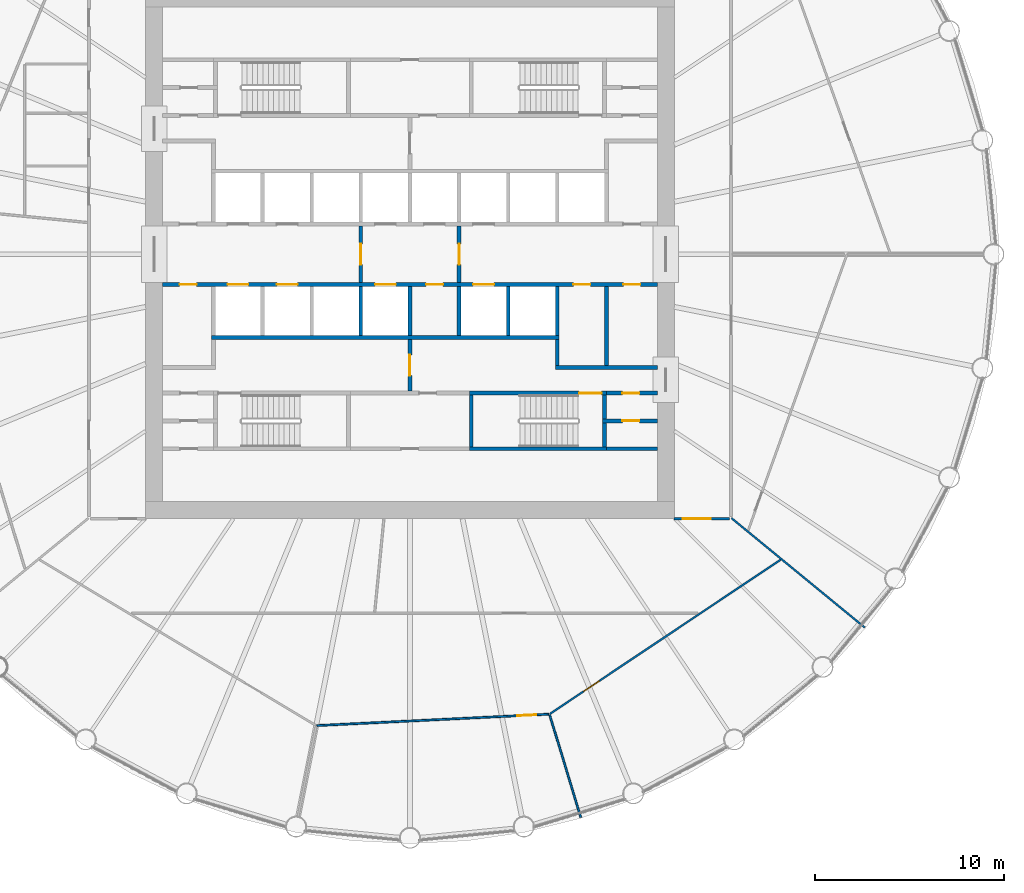
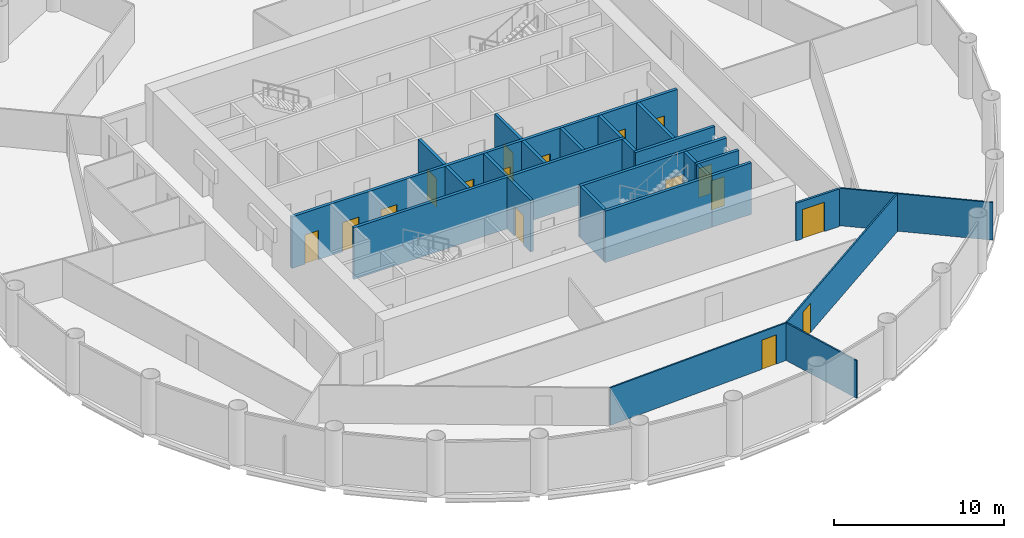
# One storey, part 5 of 9: 26 walls, 17 doors, 17 openings.
"""IFC4 building model written with IfcOpenShell, lengths in metres."""

from ifc_helpers import new_model, si_unit, direction, frame, frame_2d, origin, place, context, subcontext, project, spatial, polyline, rectangle, outline, extrude, material, layer, layer_set, type_object, element, fill, save


model = new_model("IFC4")

# Units and contexts
model_context = context("Model", 3, precision=1e-05, world=origin(), true_north=direction((0.0, 1.0)))
body_context = subcontext(model_context, "Body", "Model", "MODEL_VIEW")
ifc_project = project(units=[si_unit("LENGTHUNIT", "METRE"), si_unit("AREAUNIT", "SQUARE_METRE"), si_unit("VOLUMEUNIT", "CUBIC_METRE"), si_unit("PLANEANGLEUNIT", "RADIAN"), si_unit("MASSUNIT", "GRAM", prefix="KILO")], contexts=[model_context])

# Site, building, storey
site_placement = place(None, origin())
site = spatial("IfcSite", under=ifc_project, at=site_placement, CompositionType="ELEMENT")
building_placement = place(site_placement, origin())
building = spatial("IfcBuilding", under=site, at=building_placement, Name="Corvane Civic Tower", CompositionType="ELEMENT")
storey_placement = place(building_placement, frame((0.0, 0.0, 168.0)))
storey = spatial("IfcBuildingStorey", under=building, at=storey_placement, Name="L39", CompositionType="ELEMENT", Elevation=168.0)

# Wall, opening, door
ifc_material_1 = material(Name="Concrete C30/37", Category="concrete")
ifc_layer_1 = layer(ifc_material_1, 0.199951171875)
ifc_layer_set_1 = layer_set([ifc_layer_1], Name="Concrete C30/37")
wall_type_1 = type_object("IfcWallType", Name="CR-WALL-200", PredefinedType="PARTITIONING", material=ifc_layer_set_1)
wall_1_placement = place(storey_placement, frame((10.199951171875, -8.824951171875, 0.0), z_axis=(0.0, 0.0, 1.0), x_axis=(1.0, 0.0, 0.0)))
wall_1 = element("IfcWall", 1, at=wall_1_placement, inside=storey, type_object=wall_type_1, Name="L39 partition wall", PredefinedType="PARTITIONING", context=body_context, shape_type="SweptSolid", body=[
    extrude(rectangle(XDim=2.900146484375, YDim=0.199951171875, at=frame_2d((1.4501953125, 0.0))), origin(), (0.0, 0.0, 1.0), 3.699951171875),
])
opening_1_placement = place(wall_1_placement, frame((1.050048828125, 0.0, 0.0)))
opening_1 = element("IfcOpeningElement", 2, at=opening_1_placement, cuts=wall_1, Name="Opening L39.C19", PredefinedType="OPENING", context=body_context, shape_type="SweptSolid", body=[
    extrude(rectangle(XDim=0.89990234375, YDim=2.10009765625, at=frame_2d((0.449951171875, 1.050048828125))), frame((0.0, 0.10986328125, 0.0), z_axis=(0.0, -1.0, 0.0), x_axis=(1.0, 0.0, 0.0)), (0.0, 0.0, 1.0), 0.219970703125),
])
ifc_material_2 = material(Name="Steel fire door leaf", Category="steel")
door_type_1 = type_object("IfcDoorType", Name="CR-DOOR-900", OperationType="SINGLE_SWING_LEFT", PredefinedType="DOOR", material=ifc_material_2)
door_1_placement = place(opening_1_placement, origin())
door_1 = element("IfcDoor", 3, at=door_1_placement, inside=storey, type_object=door_type_1, Name="L39 door", OperationType="SINGLE_SWING_LEFT", OverallHeight=2.10009765625, OverallWidth=0.89990234375, PredefinedType="DOOR", context=body_context, shape_type="SweptSolid", body=[
    extrude(rectangle(XDim=0.89990234375, YDim=2.10009765625, at=frame_2d((0.449951171875, 1.050048828125))), frame((0.0, 0.02490234375, 0.0), z_axis=(0.0, -1.0, 0.0), x_axis=(1.0, 0.0, 0.0)), (0.0, 0.0, 1.0), 0.050048828125),
])
fill(opening_1, door_1)

wall_2_placement = place(storey_placement, frame((10.39990234375, -7.35009765625, 0.0), z_axis=(0.0, 0.0, 1.0), x_axis=(1.0, 0.0, 0.0)))
wall_2 = element("IfcWall", 4, at=wall_2_placement, inside=storey, type_object=wall_type_1, Name="L39 core partition wall", PredefinedType="PARTITIONING", context=body_context, shape_type="SweptSolid", body=[
    extrude(rectangle(XDim=2.7001953125, YDim=0.199951171875, at=frame_2d((1.35009765625, 0.0))), origin(), (0.0, 0.0, 1.0), 3.699951171875),
])
opening_2_placement = place(wall_2_placement, frame((0.85009765625, 0.0, 0.0)))
opening_2 = element("IfcOpeningElement", 5, at=opening_2_placement, cuts=wall_2, Name="Opening L39.C18", PredefinedType="OPENING", context=body_context, shape_type="SweptSolid", body=[
    extrude(rectangle(XDim=0.89990234375, YDim=2.10009765625, at=frame_2d((0.449951171875, 1.050048828125))), frame((0.0, 0.10986328125, 0.0), z_axis=(0.0, -1.0, 0.0), x_axis=(1.0, 0.0, 0.0)), (0.0, 0.0, 1.0), 0.219970703125),
])
door_2_placement = place(opening_2_placement, origin())
door_2 = element("IfcDoor", 6, at=door_2_placement, inside=storey, type_object=door_type_1, Name="L39 door", OperationType="SINGLE_SWING_LEFT", OverallHeight=2.10009765625, OverallWidth=0.89990234375, PredefinedType="DOOR", context=body_context, shape_type="SweptSolid", body=[
    extrude(rectangle(XDim=0.89990234375, YDim=2.10009765625, at=frame_2d((0.449951171875, 1.050048828125))), frame((0.0, 0.02490234375, 0.0), z_axis=(0.0, -1.0, 0.0), x_axis=(1.0, 0.0, 0.0)), (0.0, 0.0, 1.0), 0.050048828125),
])
fill(opening_2, door_2)

# Wall, openings, doors
wall_3_placement = place(storey_placement, frame((-13.10009765625, -1.60009765625, 0.0), z_axis=(0.0, 0.0, 1.0), x_axis=(1.0, 0.0, 0.0)))
wall_3 = element("IfcWall", 7, at=wall_3_placement, inside=storey, type_object=wall_type_1, Name="L39 lift shaft wall", PredefinedType="PARTITIONING", context=body_context, shape_type="SweptSolid", body=[
    extrude(rectangle(XDim=26.2001953125, YDim=0.199951171875, at=frame_2d((13.10009765625, 0.0))), origin(), (0.0, 0.0, 1.0), 3.699951171875),
])
opening_3_placement = place(wall_3_placement, frame((3.449951171875, 0.0, 0.0)))
opening_3 = element("IfcOpeningElement", 8, at=opening_3_placement, cuts=wall_3, Name="Opening LD", PredefinedType="OPENING", context=body_context, shape_type="SweptSolid", body=[
    extrude(rectangle(XDim=1.10009765625, YDim=2.10009765625, at=frame_2d((0.550048828125, 1.050048828125))), frame((0.0, 0.10986328125, 0.0), z_axis=(0.0, -1.0, 0.0), x_axis=(1.0, 0.0, 0.0)), (0.0, 0.0, 1.0), 0.219970703125),
])
opening_4_placement = place(wall_3_placement, frame((6.050048828125, 0.0, 0.0)))
opening_4 = element("IfcOpeningElement", 9, at=opening_4_placement, cuts=wall_3, Name="Opening LD", PredefinedType="OPENING", context=body_context, shape_type="SweptSolid", body=[
    extrude(rectangle(XDim=1.10009765625, YDim=2.10009765625, at=frame_2d((0.550048828125, 1.050048828125))), frame((0.0, 0.10986328125, 0.0), z_axis=(0.0, -1.0, 0.0), x_axis=(1.0, 0.0, 0.0)), (0.0, 0.0, 1.0), 0.219970703125),
])
opening_5_placement = place(wall_3_placement, frame((11.25, 0.0, 0.0)))
opening_5 = element("IfcOpeningElement", 10, at=opening_5_placement, cuts=wall_3, Name="Opening LD", PredefinedType="OPENING", context=body_context, shape_type="SweptSolid", body=[
    extrude(rectangle(XDim=1.10009765625, YDim=2.10009765625, at=frame_2d((0.550048828125, 1.050048828125))), frame((0.0, 0.10986328125, 0.0), z_axis=(0.0, -1.0, 0.0), x_axis=(1.0, 0.0, 0.0)), (0.0, 0.0, 1.0), 0.219970703125),
])
opening_6_placement = place(wall_3_placement, frame((13.949951171875, 0.0, 0.0)))
opening_6 = element("IfcOpeningElement", 11, at=opening_6_placement, cuts=wall_3, Name="Opening L39.C03", PredefinedType="OPENING", context=body_context, shape_type="SweptSolid", body=[
    extrude(rectangle(XDim=0.89990234375, YDim=2.10009765625, at=frame_2d((0.449951171875, 1.050048828125))), frame((0.0, 0.10986328125, 0.0), z_axis=(0.0, -1.0, 0.0), x_axis=(1.0, 0.0, 0.0)), (0.0, 0.0, 1.0), 0.219970703125),
])
opening_7_placement = place(wall_3_placement, frame((16.449951171875, 0.0, 0.0)))
opening_7 = element("IfcOpeningElement", 12, at=opening_7_placement, cuts=wall_3, Name="Opening LD", PredefinedType="OPENING", context=body_context, shape_type="SweptSolid", body=[
    extrude(rectangle(XDim=1.10009765625, YDim=2.10009765625, at=frame_2d((0.550048828125, 1.050048828125))), frame((0.0, 0.10986328125, 0.0), z_axis=(0.0, -1.0, 0.0), x_axis=(1.0, 0.0, 0.0)), (0.0, 0.0, 1.0), 0.219970703125),
])
opening_8_placement = place(wall_3_placement, frame((0.89990234375, 0.0, 0.0)))
opening_8 = element("IfcOpeningElement", 13, at=opening_8_placement, cuts=wall_3, Name="Opening L39.C04", PredefinedType="OPENING", context=body_context, shape_type="SweptSolid", body=[
    extrude(rectangle(XDim=0.89990234375, YDim=2.10009765625, at=frame_2d((0.449951171875, 1.050048828125))), frame((0.0, 0.10986328125, 0.0), z_axis=(0.0, -1.0, 0.0), x_axis=(1.0, 0.0, 0.0)), (0.0, 0.0, 1.0), 0.219970703125),
])
opening_9_placement = place(wall_3_placement, frame((21.75, 0.0, 0.0)))
opening_9 = element("IfcOpeningElement", 14, at=opening_9_placement, cuts=wall_3, Name="Opening L39.C05", PredefinedType="OPENING", context=body_context, shape_type="SweptSolid", body=[
    extrude(rectangle(XDim=0.89990234375, YDim=2.10009765625, at=frame_2d((0.449951171875, 1.050048828125))), frame((0.0, 0.10986328125, 0.0), z_axis=(0.0, -1.0, 0.0), x_axis=(1.0, 0.0, 0.0)), (0.0, 0.0, 1.0), 0.219970703125),
])
opening_10_placement = place(wall_3_placement, frame((24.39990234375, 0.0, 0.0)))
opening_10 = element("IfcOpeningElement", 15, at=opening_10_placement, cuts=wall_3, Name="Opening L39.C06", PredefinedType="OPENING", context=body_context, shape_type="SweptSolid", body=[
    extrude(rectangle(XDim=0.89990234375, YDim=2.10009765625, at=frame_2d((0.449951171875, 1.050048828125))), frame((0.0, 0.10986328125, 0.0), z_axis=(0.0, -1.0, 0.0), x_axis=(1.0, 0.0, 0.0)), (0.0, 0.0, 1.0), 0.219970703125),
])
door_3_placement = place(opening_6_placement, origin())
door_3 = element("IfcDoor", 16, at=door_3_placement, inside=storey, type_object=door_type_1, Name="L39 door", OperationType="SINGLE_SWING_LEFT", OverallHeight=2.10009765625, OverallWidth=0.89990234375, PredefinedType="DOOR", context=body_context, shape_type="SweptSolid", body=[
    extrude(rectangle(XDim=0.89990234375, YDim=2.10009765625, at=frame_2d((0.449951171875, 1.050048828125))), frame((0.0, 0.02490234375, 0.0), z_axis=(0.0, -1.0, 0.0), x_axis=(1.0, 0.0, 0.0)), (0.0, 0.0, 1.0), 0.050048828125),
])
fill(opening_6, door_3)
door_4_placement = place(opening_8_placement, origin())
door_4 = element("IfcDoor", 17, at=door_4_placement, inside=storey, type_object=door_type_1, Name="L39 door", OperationType="SINGLE_SWING_LEFT", OverallHeight=2.10009765625, OverallWidth=0.89990234375, PredefinedType="DOOR", context=body_context, shape_type="SweptSolid", body=[
    extrude(rectangle(XDim=0.89990234375, YDim=2.10009765625, at=frame_2d((0.449951171875, 1.050048828125))), frame((0.0, 0.02490234375, 0.0), z_axis=(0.0, -1.0, 0.0), x_axis=(1.0, 0.0, 0.0)), (0.0, 0.0, 1.0), 0.050048828125),
])
fill(opening_8, door_4)
door_5_placement = place(opening_9_placement, origin())
door_5 = element("IfcDoor", 18, at=door_5_placement, inside=storey, type_object=door_type_1, Name="L39 door", OperationType="SINGLE_SWING_LEFT", OverallHeight=2.10009765625, OverallWidth=0.89990234375, PredefinedType="DOOR", context=body_context, shape_type="SweptSolid", body=[
    extrude(rectangle(XDim=0.89990234375, YDim=2.10009765625, at=frame_2d((0.449951171875, 1.050048828125))), frame((0.0, 0.02490234375, 0.0), z_axis=(0.0, -1.0, 0.0), x_axis=(1.0, 0.0, 0.0)), (0.0, 0.0, 1.0), 0.050048828125),
])
fill(opening_9, door_5)
door_6_placement = place(opening_10_placement, origin())
door_6 = element("IfcDoor", 19, at=door_6_placement, inside=storey, type_object=door_type_1, Name="L39 door", OperationType="SINGLE_SWING_LEFT", OverallHeight=2.10009765625, OverallWidth=0.89990234375, PredefinedType="DOOR", context=body_context, shape_type="SweptSolid", body=[
    extrude(rectangle(XDim=0.89990234375, YDim=2.10009765625, at=frame_2d((0.449951171875, 1.050048828125))), frame((0.0, 0.02490234375, 0.0), z_axis=(0.0, -1.0, 0.0), x_axis=(1.0, 0.0, 0.0)), (0.0, 0.0, 1.0), 0.050048828125),
])
fill(opening_10, door_6)
ifc_material_3 = material(Name="Stainless steel 316 door leaves", Category="steel")
door_type_2 = type_object("IfcDoorType", Name="LD", OperationType="DOUBLE_DOOR_SLIDING", PredefinedType="DOOR", material=ifc_material_3)
door_7_placement = place(opening_3_placement, origin())
door_7 = element("IfcDoor", 20, at=door_7_placement, inside=storey, type_object=door_type_2, Name="L39 landing door", OperationType="DOUBLE_DOOR_SLIDING", OverallHeight=2.10009765625, OverallWidth=1.10009765625, PredefinedType="DOOR", context=body_context, shape_type="SweptSolid", body=[
    extrude(rectangle(XDim=1.10009765625, YDim=2.10009765625, at=frame_2d((0.550048828125, 1.050048828125))), frame((0.0, 0.02490234375, 0.0), z_axis=(0.0, -1.0, 0.0), x_axis=(1.0, 0.0, 0.0)), (0.0, 0.0, 1.0), 0.050048828125),
])
fill(opening_3, door_7)
door_8_placement = place(opening_4_placement, origin())
door_8 = element("IfcDoor", 21, at=door_8_placement, inside=storey, type_object=door_type_2, Name="L39 landing door", OperationType="DOUBLE_DOOR_SLIDING", OverallHeight=2.10009765625, OverallWidth=1.10009765625, PredefinedType="DOOR", context=body_context, shape_type="SweptSolid", body=[
    extrude(rectangle(XDim=1.10009765625, YDim=2.10009765625, at=frame_2d((0.550048828125, 1.050048828125))), frame((0.0, 0.02490234375, 0.0), z_axis=(0.0, -1.0, 0.0), x_axis=(1.0, 0.0, 0.0)), (0.0, 0.0, 1.0), 0.050048828125),
])
fill(opening_4, door_8)
door_9_placement = place(opening_5_placement, origin())
door_9 = element("IfcDoor", 22, at=door_9_placement, inside=storey, type_object=door_type_2, Name="L39 landing door", OperationType="DOUBLE_DOOR_SLIDING", OverallHeight=2.10009765625, OverallWidth=1.10009765625, PredefinedType="DOOR", context=body_context, shape_type="SweptSolid", body=[
    extrude(rectangle(XDim=1.10009765625, YDim=2.10009765625, at=frame_2d((0.550048828125, 1.050048828125))), frame((0.0, 0.02490234375, 0.0), z_axis=(0.0, -1.0, 0.0), x_axis=(1.0, 0.0, 0.0)), (0.0, 0.0, 1.0), 0.050048828125),
])
fill(opening_5, door_9)
door_10_placement = place(opening_7_placement, origin())
door_10 = element("IfcDoor", 23, at=door_10_placement, inside=storey, type_object=door_type_2, Name="L39 landing door", OperationType="DOUBLE_DOOR_SLIDING", OverallHeight=2.10009765625, OverallWidth=1.10009765625, PredefinedType="DOOR", context=body_context, shape_type="SweptSolid", body=[
    extrude(rectangle(XDim=1.10009765625, YDim=2.10009765625, at=frame_2d((0.550048828125, 1.050048828125))), frame((0.0, 0.02490234375, 0.0), z_axis=(0.0, -1.0, 0.0), x_axis=(1.0, 0.0, 0.0)), (0.0, 0.0, 1.0), 0.050048828125),
])
fill(opening_7, door_10)

# Wall, opening, door
wall_4_placement = place(storey_placement, frame((-2.60009765625, -1.5, 0.0), z_axis=(0.0, 0.0, 1.0), x_axis=(0.0, 1.0, 0.0)))
wall_4 = element("IfcWall", 24, at=wall_4_placement, inside=storey, type_object=wall_type_1, Name="L39 firefighting lobby wall", PredefinedType="PARTITIONING", context=body_context, shape_type="SweptSolid", body=[
    extrude(rectangle(XDim=3.0, YDim=0.199951171875, at=frame_2d((1.5, 0.0))), origin(), (0.0, 0.0, 1.0), 3.699951171875),
])
opening_11_placement = place(wall_4_placement, frame((0.949951171875, 0.0, 0.0)))
opening_11 = element("IfcOpeningElement", 25, at=opening_11_placement, cuts=wall_4, Name="Opening L39.C24", PredefinedType="OPENING", context=body_context, shape_type="SweptSolid", body=[
    extrude(rectangle(XDim=1.10009765625, YDim=2.10009765625, at=frame_2d((0.550048828125, 1.050048828125))), frame((0.0, 0.10986328125, 0.0), z_axis=(0.0, -1.0, 0.0), x_axis=(1.0, 0.0, 0.0)), (0.0, 0.0, 1.0), 0.219970703125),
])
ifc_material_4 = material(Name="Steel fire door leaf", Category="steel")
door_type_3 = type_object("IfcDoorType", Name="CR-DOOR-FFL-1100", OperationType="SINGLE_SWING_LEFT", PredefinedType="DOOR", material=ifc_material_4)
door_11_placement = place(opening_11_placement, origin())
door_11 = element("IfcDoor", 26, at=door_11_placement, inside=storey, type_object=door_type_3, Name="L39 lobby door", OperationType="SINGLE_SWING_LEFT", OverallHeight=2.10009765625, OverallWidth=1.10009765625, PredefinedType="DOOR", context=body_context, shape_type="SweptSolid", body=[
    extrude(rectangle(XDim=1.10009765625, YDim=2.10009765625, at=frame_2d((0.550048828125, 1.050048828125))), frame((0.0, 0.02490234375, 0.0), z_axis=(0.0, -1.0, 0.0), x_axis=(1.0, 0.0, 0.0)), (0.0, 0.0, 1.0), 0.050048828125),
])
fill(opening_11, door_11)

wall_5_placement = place(storey_placement, frame((0.0, -7.25, 0.0), z_axis=(0.0, 0.0, 1.0), x_axis=(0.0, 1.0, 0.0)))
wall_5 = element("IfcWall", 27, at=wall_5_placement, inside=storey, type_object=wall_type_1, Name="L39 core partition wall", PredefinedType="PARTITIONING", context=body_context, shape_type="SweptSolid", body=[
    extrude(rectangle(XDim=2.75, YDim=0.199951171875, at=frame_2d((1.375, 0.0))), origin(), (0.0, 0.0, 1.0), 3.699951171875),
])
opening_12_placement = place(wall_5_placement, frame((0.824951171875, 0.0, 0.0)))
opening_12 = element("IfcOpeningElement", 28, at=opening_12_placement, cuts=wall_5, Name="Opening L39.C27", PredefinedType="OPENING", context=body_context, shape_type="SweptSolid", body=[
    extrude(rectangle(XDim=1.10009765625, YDim=2.10009765625, at=frame_2d((0.550048828125, 1.050048828125))), frame((0.0, 0.10986328125, 0.0), z_axis=(0.0, -1.0, 0.0), x_axis=(1.0, 0.0, 0.0)), (0.0, 0.0, 1.0), 0.219970703125),
])
door_12_placement = place(opening_12_placement, origin())
door_12 = element("IfcDoor", 29, at=door_12_placement, inside=storey, type_object=door_type_3, Name="L39 lobby door", OperationType="SINGLE_SWING_LEFT", OverallHeight=2.10009765625, OverallWidth=1.10009765625, PredefinedType="DOOR", context=body_context, shape_type="SweptSolid", body=[
    extrude(rectangle(XDim=1.10009765625, YDim=2.10009765625, at=frame_2d((0.550048828125, 1.050048828125))), frame((0.0, 0.02490234375, 0.0), z_axis=(0.0, -1.0, 0.0), x_axis=(1.0, 0.0, 0.0)), (0.0, 0.0, 1.0), 0.050048828125),
])
fill(opening_12, door_12)

wall_6_placement = place(storey_placement, frame((2.60009765625, -1.5, 0.0), z_axis=(0.0, 0.0, 1.0), x_axis=(0.0, 1.0, 0.0)))
wall_6 = element("IfcWall", 30, at=wall_6_placement, inside=storey, type_object=wall_type_1, Name="L39 firefighting lobby wall", PredefinedType="PARTITIONING", context=body_context, shape_type="SweptSolid", body=[
    extrude(rectangle(XDim=3.0, YDim=0.199951171875, at=frame_2d((1.5, 0.0))), origin(), (0.0, 0.0, 1.0), 3.699951171875),
])
opening_13_placement = place(wall_6_placement, frame((0.949951171875, 0.0, 0.0)))
opening_13 = element("IfcOpeningElement", 31, at=opening_13_placement, cuts=wall_6, Name="Opening L39.C25", PredefinedType="OPENING", context=body_context, shape_type="SweptSolid", body=[
    extrude(rectangle(XDim=1.10009765625, YDim=2.10009765625, at=frame_2d((0.550048828125, 1.050048828125))), frame((0.0, 0.10986328125, 0.0), z_axis=(0.0, -1.0, 0.0), x_axis=(1.0, 0.0, 0.0)), (0.0, 0.0, 1.0), 0.219970703125),
])
door_13_placement = place(opening_13_placement, origin())
door_13 = element("IfcDoor", 32, at=door_13_placement, inside=storey, type_object=door_type_3, Name="L39 lobby door", OperationType="SINGLE_SWING_LEFT", OverallHeight=2.10009765625, OverallWidth=1.10009765625, PredefinedType="DOOR", context=body_context, shape_type="SweptSolid", body=[
    extrude(rectangle(XDim=1.10009765625, YDim=2.10009765625, at=frame_2d((0.550048828125, 1.050048828125))), frame((0.0, 0.02490234375, 0.0), z_axis=(0.0, -1.0, 0.0), x_axis=(1.0, 0.0, 0.0)), (0.0, 0.0, 1.0), 0.050048828125),
])
fill(opening_13, door_13)

# Walls
wall_7_placement = place(storey_placement, origin())
element("IfcWall", 33, at=wall_7_placement, inside=storey, type_object=wall_type_1, Name="L39 core partition wall", PredefinedType="PARTITIONING", context=body_context, shape_type="SweptSolid", body=[
    extrude(outline(polyline([(7.89990234375, -4.300048828125), (7.89990234375, -4.5), (-10.5, -4.5), (-10.5, -4.300048828125), (7.89990234375, -4.300048828125)])), origin(), (0.0, 0.0, 1.0), 3.699951171875),
])
wall_8_placement = place(storey_placement, origin())
element("IfcWall", 34, at=wall_8_placement, inside=storey, type_object=wall_type_1, Name="L39 core partition wall", PredefinedType="PARTITIONING", context=body_context, shape_type="SweptSolid", body=[
    extrude(outline(polyline([(13.10009765625, -6.10009765625), (7.699951171875, -6.10009765625), (7.699951171875, -5.89990234375), (13.10009765625, -5.89990234375), (13.10009765625, -6.10009765625)])), origin(), (0.0, 0.0, 1.0), 3.699951171875),
])
wall_9_placement = place(storey_placement, origin())
element("IfcWall", 35, at=wall_9_placement, inside=storey, type_object=wall_type_1, Name="L39 core partition wall", PredefinedType="PARTITIONING", context=body_context, shape_type="SweptSolid", body=[
    extrude(outline(polyline([(10.5, -1.699951171875), (10.5, -5.89990234375), (10.300048828125, -5.89990234375), (10.300048828125, -1.699951171875), (10.5, -1.699951171875)])), origin(), (0.0, 0.0, 1.0), 3.699951171875),
])
wall_10_placement = place(storey_placement, origin())
element("IfcWall", 36, at=wall_10_placement, inside=storey, type_object=wall_type_1, Name="L39 core partition wall", PredefinedType="PARTITIONING", context=body_context, shape_type="SweptSolid", body=[
    extrude(outline(polyline([(-2.5, -1.699951171875), (-2.5, -4.2998046875), (-2.699951171875, -4.2998046875), (-2.699951171875, -1.699951171875), (-2.5, -1.699951171875)])), origin(), (0.0, 0.0, 1.0), 3.699951171875),
])
wall_11_placement = place(storey_placement, origin())
element("IfcWall", 37, at=wall_11_placement, inside=storey, type_object=wall_type_1, Name="L39 core partition wall", PredefinedType="PARTITIONING", context=body_context, shape_type="SweptSolid", body=[
    extrude(outline(polyline([(2.699951171875, -1.699951171875), (2.699951171875, -4.2998046875), (2.5, -4.2998046875), (2.5, -1.699951171875), (2.699951171875, -1.699951171875)])), origin(), (0.0, 0.0, 1.0), 3.699951171875),
])
wall_12_placement = place(storey_placement, origin())
element("IfcWall", 38, at=wall_12_placement, inside=storey, type_object=wall_type_1, Name="L39 core partition wall", PredefinedType="PARTITIONING", context=body_context, shape_type="SweptSolid", body=[
    extrude(outline(polyline([(0.10009765625, -1.699951171875), (0.10009765625, -4.2998046875), (-0.10009765625, -4.2998046875), (-0.10009765625, -1.699951171875), (0.10009765625, -1.699951171875)])), origin(), (0.0, 0.0, 1.0), 3.699951171875),
])
wall_13_placement = place(storey_placement, origin())
element("IfcWall", 39, at=wall_13_placement, inside=storey, type_object=wall_type_1, Name="L39 core partition wall", PredefinedType="PARTITIONING", context=body_context, shape_type="SweptSolid", body=[
    extrude(outline(polyline([(5.300048828125, -1.699951171875), (5.300048828125, -4.2998046875), (5.10009765625, -4.2998046875), (5.10009765625, -1.699951171875), (5.300048828125, -1.699951171875)])), origin(), (0.0, 0.0, 1.0), 3.699951171875),
])
wall_14_placement = place(storey_placement, origin())
element("IfcWall", 40, at=wall_14_placement, inside=storey, type_object=wall_type_1, Name="L39 core partition wall", PredefinedType="PARTITIONING", context=body_context, shape_type="SweptSolid", body=[
    extrude(outline(polyline([(7.89990234375, -1.699951171875), (7.89990234375, -4.2998046875), (7.699951171875, -4.2998046875), (7.699951171875, -1.699951171875), (7.89990234375, -1.699951171875)])), origin(), (0.0, 0.0, 1.0), 3.699951171875),
])
wall_15_placement = place(storey_placement, origin())
element("IfcWall", 41, at=wall_15_placement, inside=storey, type_object=wall_type_1, Name="L39 core partition wall", PredefinedType="PARTITIONING", context=body_context, shape_type="SweptSolid", body=[
    extrude(outline(polyline([(7.89990234375, -5.89990234375), (7.699951171875, -5.89990234375), (7.699951171875, -4.5), (7.89990234375, -4.5), (7.89990234375, -5.89990234375)])), origin(), (0.0, 0.0, 1.0), 3.699951171875),
])
wall_16_placement = place(storey_placement, origin())
element("IfcWall", 42, at=wall_16_placement, inside=storey, type_object=wall_type_1, Name="L39 core partition wall", PredefinedType="PARTITIONING", context=body_context, shape_type="SweptSolid", body=[
    extrude(outline(polyline([(10.39990234375, -10.39990234375), (10.39990234375, -10.199951171875), (13.10009765625, -10.199951171875), (13.10009765625, -10.39990234375), (10.39990234375, -10.39990234375)])), origin(), (0.0, 0.0, 1.0), 3.699951171875),
])
ifc_material_5 = material(Name="Plasterboard")
ifc_layer_2 = layer(ifc_material_5, 0.10009765625)
ifc_layer_set_2 = layer_set([ifc_layer_2], Name="Plasterboard")
wall_type_2 = type_object("IfcWallType", Name="Partition 100 plasterboard on studs", PredefinedType="PARTITIONING", material=ifc_layer_set_2)
wall_17_placement = place(storey_placement, frame((7.397216796875, -24.385009765625, 0.0), z_axis=(0.0, 0.0, 1.0), x_axis=(0.290278763568, -0.956942129609, 0.0)))
element("IfcWall", 43, at=wall_17_placement, inside=storey, type_object=wall_type_2, Name="Partition L39.001", PredefinedType="PARTITIONING", context=body_context, shape_type="SweptSolid", body=[
    extrude(rectangle(XDim=5.66796875, YDim=0.10009765625, at=frame_2d((2.833984375, 0.0))), origin(), (0.0, 0.0, 1.0), 2.699951171875),
])

# Wall, opening, door
wall_18_placement = place(storey_placement, frame((-4.9248046875, -24.952392578125, 0.0), z_axis=(0.0, 0.0, 1.0), x_axis=(0.998795760004, 0.049061489962, 0.0)))
wall_18 = element("IfcWall", 44, at=wall_18_placement, inside=storey, type_object=wall_type_2, Name="Partition L39.003", PredefinedType="PARTITIONING", context=body_context, shape_type="SweptSolid", body=[
    extrude(rectangle(XDim=12.286376953125, YDim=0.10009765625, at=frame_2d((6.14306640625, 0.0))), origin(), (0.0, 0.0, 1.0), 2.699951171875),
])
opening_14_placement = place(wall_18_placement, frame((10.616455078125, 0.0, 0.0)))
opening_14 = element("IfcOpeningElement", 45, at=opening_14_placement, cuts=wall_18, Name="Opening L39.007", PredefinedType="OPENING", context=body_context, shape_type="SweptSolid", body=[
    extrude(rectangle(XDim=1.0, YDim=2.10009765625, at=frame_2d((0.5, 1.050048828125))), frame((0.0, 0.06005859375, 0.0), z_axis=(0.0, -1.0, 0.0), x_axis=(1.0, 0.0, 0.0)), (0.0, 0.0, 1.0), 0.1201171875),
])
ifc_material_6 = material(Name="Timber", Category="wood")
door_type_4 = type_object("IfcDoorType", Name="Single door 1000", OperationType="NOTDEFINED", PredefinedType="DOOR", material=ifc_material_6)
door_14_placement = place(opening_14_placement, frame((1.0, 0.0, 0.0), z_axis=(0.0, 0.0, 1.0), x_axis=(-1.0, 0.0, 0.0)))
door_14 = element("IfcDoor", 46, at=door_14_placement, inside=storey, type_object=door_type_4, Name="Door L39.007", OperationType="SINGLE_SWING_RIGHT", OverallHeight=2.10009765625, OverallWidth=1.0, PredefinedType="DOOR", context=body_context, shape_type="SweptSolid", body=[
    extrude(rectangle(XDim=1.0, YDim=2.10009765625, at=frame_2d((0.5, 1.050048828125))), frame((0.0, 0.02490234375, 0.0), z_axis=(0.0, -1.0, 0.0), x_axis=(1.0, 0.0, 0.0)), (0.0, 0.0, 1.0), 0.050048828125),
])
fill(opening_14, door_14)

wall_19_placement = place(storey_placement, frame((7.41650390625, -24.3271484375, 0.0), z_axis=(0.0, 0.0, 1.0), x_axis=(0.831468530602, 0.555571851896, 0.0)))
wall_19 = element("IfcWall", 47, at=wall_19_placement, inside=storey, type_object=wall_type_2, Name="Partition L39.005", PredefinedType="PARTITIONING", context=body_context, shape_type="SweptSolid", body=[
    extrude(rectangle(XDim=14.667236328125, YDim=0.10009765625, at=frame_2d((7.33349609375, 0.0))), origin(), (0.0, 0.0, 1.0), 2.699951171875),
])
opening_15_placement = place(wall_19_placement, frame((2.1328125, 0.0, 0.0)))
opening_15 = element("IfcOpeningElement", 48, at=opening_15_placement, cuts=wall_19, Name="Opening L39.006", PredefinedType="OPENING", context=body_context, shape_type="SweptSolid", body=[
    extrude(rectangle(XDim=1.0, YDim=2.10009765625, at=frame_2d((0.5, 1.050048828125))), frame((0.0, 0.06005859375, 0.0), z_axis=(0.0, -1.0, 0.0), x_axis=(1.0, 0.0, 0.0)), (0.0, 0.0, 1.0), 0.1201171875),
])
door_15_placement = place(opening_15_placement, frame((1.0, 0.0, 0.0), z_axis=(0.0, 0.0, 1.0), x_axis=(-1.0, 0.0, 0.0)))
door_15 = element("IfcDoor", 49, at=door_15_placement, inside=storey, type_object=door_type_4, Name="Door L39.006", OperationType="SINGLE_SWING_LEFT", OverallHeight=2.10009765625, OverallWidth=1.0, PredefinedType="DOOR", context=body_context, shape_type="SweptSolid", body=[
    extrude(rectangle(XDim=1.0, YDim=2.10009765625, at=frame_2d((0.5, 1.050048828125))), frame((0.0, 0.02490234375, 0.0), z_axis=(0.0, -1.0, 0.0), x_axis=(1.0, 0.0, 0.0)), (0.0, 0.0, 1.0), 0.050048828125),
])
fill(opening_15, door_15)

# Wall
wall_20_placement = place(storey_placement, frame((17.018310546875, -13.966552734375, 0.0), z_axis=(0.0, 0.0, 1.0), x_axis=(0.773006154143, -0.634398522742, 0.0)))
element("IfcWall", 50, at=wall_20_placement, inside=storey, type_object=wall_type_2, Name="Partition L39.007", PredefinedType="PARTITIONING", context=body_context, shape_type="SweptSolid", body=[
    extrude(rectangle(XDim=9.134521484375, YDim=0.10009765625, at=frame_2d((4.5673828125, 0.0))), origin(), (0.0, 0.0, 1.0), 2.699951171875),
])

# Wall, opening, door
ifc_material_7 = material(Name="Concrete C50/60", Category="concrete")
ifc_layer_3 = layer(ifc_material_7, 0.199951171875)
ifc_layer_set_3 = layer_set([ifc_layer_3], Name="Concrete C50/60")
wall_type_3 = type_object("IfcWallType", Name="ST-WALL-200", PredefinedType="SHEAR", material=ifc_layer_set_3)
wall_21_placement = place(storey_placement, frame((3.14990234375, -7.35009765625, 0.0), z_axis=(0.0, 0.0, 1.0), x_axis=(1.0, 0.0, 0.0)))
wall_21 = element("IfcWall", 51, at=wall_21_placement, inside=storey, type_object=wall_type_3, Name="L39 stair enclosure wall", PredefinedType="SHEAR", context=body_context, shape_type="SweptSolid", body=[
    extrude(rectangle(XDim=7.25, YDim=0.199951171875, at=frame_2d((3.625, 0.0))), origin(), (0.0, 0.0, 1.0), 3.699951171875),
])
opening_16_placement = place(wall_21_placement, frame((5.800048828125, 0.0, 0.0)))
opening_16 = element("IfcOpeningElement", 52, at=opening_16_placement, cuts=wall_21, Name="Opening L39.C22", PredefinedType="OPENING", context=body_context, shape_type="SweptSolid", body=[
    extrude(rectangle(XDim=1.199951171875, YDim=2.10009765625, at=frame_2d((0.60009765625, 1.050048828125))), frame((0.0, 0.10986328125, 0.0), z_axis=(0.0, -1.0, 0.0), x_axis=(1.0, 0.0, 0.0)), (0.0, 0.0, 1.0), 0.219970703125),
])
ifc_material_8 = material(Name="Steel fire door leaf", Category="steel")
door_type_5 = type_object("IfcDoorType", Name="ST-DOOR-1200", OperationType="SINGLE_SWING_RIGHT", PredefinedType="DOOR", material=ifc_material_8)
door_16_placement = place(opening_16_placement, origin())
door_16 = element("IfcDoor", 53, at=door_16_placement, inside=storey, type_object=door_type_5, Name="L39 stair door", OperationType="SINGLE_SWING_RIGHT", OverallHeight=2.10009765625, OverallWidth=1.199951171875, PredefinedType="DOOR", context=body_context, shape_type="SweptSolid", body=[
    extrude(rectangle(XDim=1.199951171875, YDim=2.10009765625, at=frame_2d((0.60009765625, 1.050048828125))), frame((0.0, 0.02490234375, 0.0), z_axis=(0.0, -1.0, 0.0), x_axis=(1.0, 0.0, 0.0)), (0.0, 0.0, 1.0), 0.050048828125),
])
fill(opening_16, door_16)

# Walls
wall_22_placement = place(storey_placement, origin())
element("IfcWall", 54, at=wall_22_placement, inside=storey, type_object=wall_type_3, Name="L39 stair enclosure wall", PredefinedType="SHEAR", context=body_context, shape_type="SweptSolid", body=[
    extrude(outline(polyline([(10.39990234375, -10.39990234375), (3.14990234375, -10.39990234375), (3.14990234375, -10.199951171875), (10.39990234375, -10.199951171875), (10.39990234375, -10.39990234375)])), origin(), (0.0, 0.0, 1.0), 3.699951171875),
])
wall_23_placement = place(storey_placement, origin())
element("IfcWall", 55, at=wall_23_placement, inside=storey, type_object=wall_type_3, Name="L39 stair enclosure wall", PredefinedType="SHEAR", context=body_context, shape_type="SweptSolid", body=[
    extrude(outline(polyline([(3.35009765625, -7.449951171875), (3.35009765625, -10.199951171875), (3.14990234375, -10.199951171875), (3.14990234375, -7.449951171875), (3.35009765625, -7.449951171875)])), origin(), (0.0, 0.0, 1.0), 3.699951171875),
])
wall_24_placement = place(storey_placement, origin())
element("IfcWall", 56, at=wall_24_placement, inside=storey, type_object=wall_type_3, Name="L39 stair enclosure wall", PredefinedType="SHEAR", context=body_context, shape_type="SweptSolid", body=[
    extrude(outline(polyline([(10.39990234375, -7.449951171875), (10.39990234375, -8.72509765625), (10.199951171875, -8.72509765625), (10.199951171875, -7.449951171875), (10.39990234375, -7.449951171875)])), origin(), (0.0, 0.0, 1.0), 3.699951171875),
])
wall_25_placement = place(storey_placement, origin())
element("IfcWall", 57, at=wall_25_placement, inside=storey, type_object=wall_type_3, Name="L39 stair enclosure wall", PredefinedType="SHEAR", context=body_context, shape_type="SweptSolid", body=[
    extrude(outline(polyline([(10.39990234375, -8.925048828125), (10.39990234375, -10.199951171875), (10.199951171875, -10.199951171875), (10.199951171875, -8.925048828125), (10.39990234375, -8.925048828125)])), origin(), (0.0, 0.0, 1.0), 3.699951171875),
])

# Wall, opening, door
ifc_material_9 = material(Name="Plasterboard")
ifc_layer_4 = layer(ifc_material_9, 0.14990234375)
ifc_layer_set_4 = layer_set([ifc_layer_4], Name="Plasterboard")
wall_type_4 = type_object("IfcWallType", Name="Tenancy wall 150 EI 60", PredefinedType="PARTITIONING", material=ifc_layer_set_4)
wall_26_placement = place(storey_placement, frame((13.989990234375, -14.0, 0.0), z_axis=(0.0, 0.0, 1.0), x_axis=(1.0, 0.0, 0.0)))
wall_26 = element("IfcWall", 58, at=wall_26_placement, inside=storey, type_object=wall_type_4, Name="Partition L39.013", PredefinedType="PARTITIONING", context=body_context, shape_type="SweptSolid", body=[
    extrude(rectangle(XDim=2.93505859375, YDim=0.14990234375, at=frame_2d((1.467529296875, 0.0))), origin(), (0.0, 0.0, 1.0), 2.699951171875),
])
opening_17_placement = place(wall_26_placement, frame((0.444091796875, 0.0, 0.0)))
opening_17 = element("IfcOpeningElement", 59, at=opening_17_placement, cuts=wall_26, Name="Opening L39.010", PredefinedType="OPENING", context=body_context, shape_type="SweptSolid", body=[
    extrude(rectangle(XDim=1.5, YDim=2.10009765625, at=frame_2d((0.75, 1.050048828125))), frame((0.0, 0.0849609375, 0.0), z_axis=(0.0, -1.0, 0.0), x_axis=(1.0, 0.0, 0.0)), (0.0, 0.0, 1.0), 0.169921875),
])
ifc_material_10 = material(Name="Steel and timber", Category="steel")
door_type_6 = type_object("IfcDoorType", Name="Fire door FD60 double 1500", OperationType="NOTDEFINED", PredefinedType="DOOR", material=ifc_material_10)
door_17_placement = place(opening_17_placement, frame((1.5, 0.0, 0.0), z_axis=(0.0, 0.0, 1.0), x_axis=(-1.0, 0.0, 0.0)))
door_17 = element("IfcDoor", 60, at=door_17_placement, inside=storey, type_object=door_type_6, Name="Door L39.010", OperationType="DOUBLE_DOOR_SINGLE_SWING", OverallHeight=2.10009765625, OverallWidth=1.5, PredefinedType="DOOR", context=body_context, shape_type="SweptSolid", body=[
    extrude(rectangle(XDim=1.5, YDim=2.10009765625, at=frame_2d((0.75, 1.050048828125))), frame((0.0, 0.02490234375, 0.0), z_axis=(0.0, -1.0, 0.0), x_axis=(1.0, 0.0, 0.0)), (0.0, 0.0, 1.0), 0.050048828125),
])
fill(opening_17, door_17)

save(model, "model.ifc")
